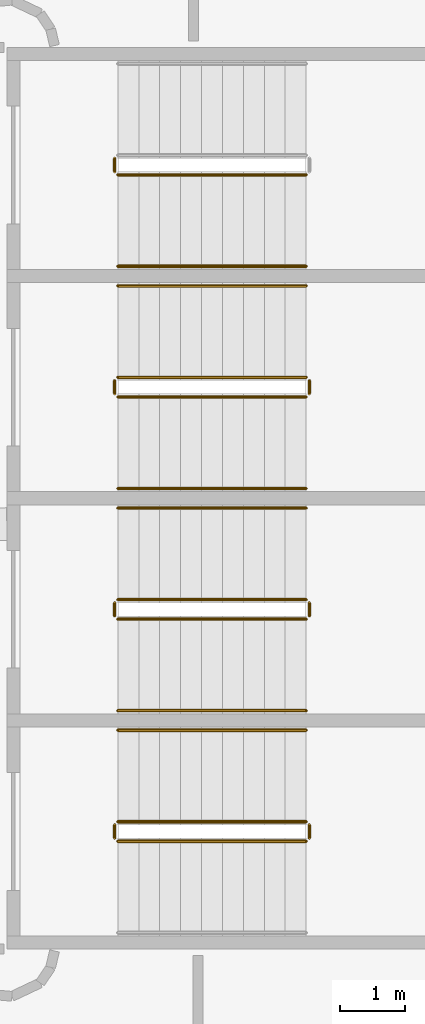
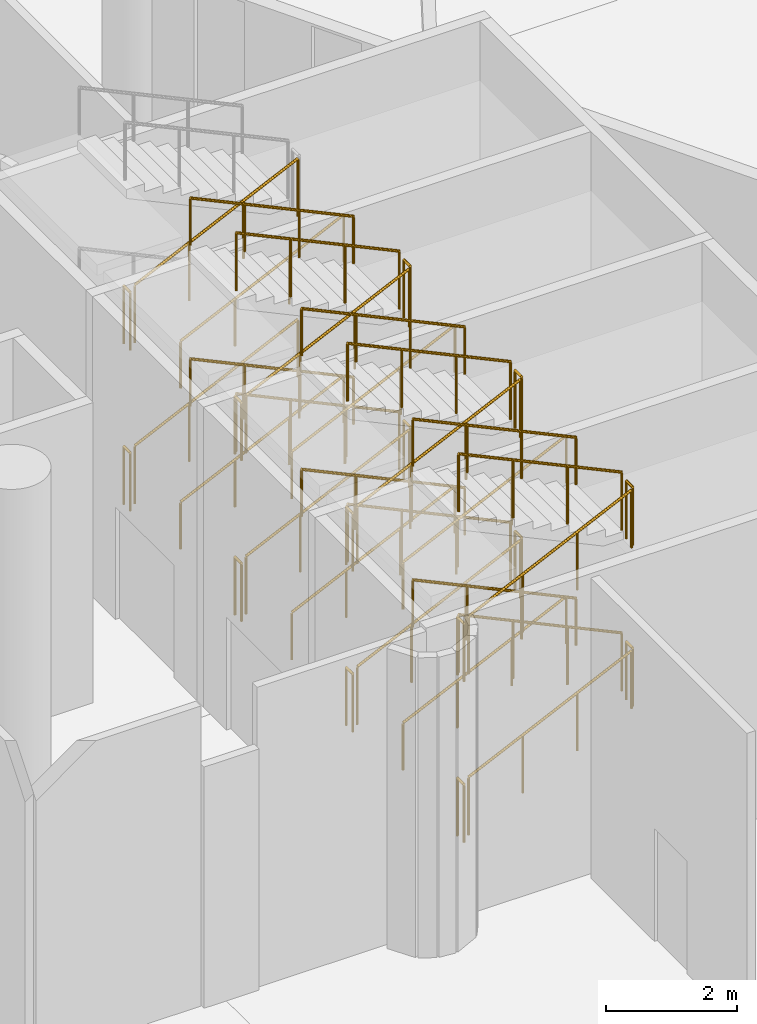
# One storey, part 162 of 173: 40 railings.
"""IFC4 building model written with IfcOpenShell, lengths in metres."""

from ifc_helpers import new_model, si_unit, direction, frame, origin, origin_2d, place, context, subcontext, project, spatial, circle, extrude, material, type_object, element, save


model = new_model("IFC4")

# Units and contexts
model_context = context("Model", 3, precision=1e-05, world=origin(), true_north=direction((0.0, 1.0)))
body_context = subcontext(model_context, "Body", "Model", "MODEL_VIEW")
ifc_project = project(units=[si_unit("LENGTHUNIT", "METRE"), si_unit("AREAUNIT", "SQUARE_METRE"), si_unit("VOLUMEUNIT", "CUBIC_METRE"), si_unit("PLANEANGLEUNIT", "RADIAN"), si_unit("MASSUNIT", "GRAM", prefix="KILO")], contexts=[model_context])

# Site, building, storey
site_placement = place(None, origin())
site = spatial("IfcSite", under=ifc_project, at=site_placement, CompositionType="ELEMENT")
building_placement = place(site_placement, origin())
building = spatial("IfcBuilding", under=site, at=building_placement, Name="Meseta Stadium", CompositionType="ELEMENT")
storey_placement = place(building_placement, frame((0.0, 0.0, 18.0)))
storey = spatial("IfcBuildingStorey", under=building, at=storey_placement, Name="L03", CompositionType="ELEMENT", Elevation=18.0)

# Railings
ifc_material_1 = material(Name="Steel S355", Category="steel")
railing_type_1 = type_object("IfcRailingType", Name="Stair guard 1100", PredefinedType="GUARDRAIL", material=ifc_material_1)
railing_1_placement = place(storey_placement, frame((90.300048828125, 13.5, 0.14990234375)))
element("IfcRailing", 1, at=railing_1_placement, inside=storey, type_object=railing_type_1, Name="ST13 L03 guard 1", PredefinedType="GUARDRAIL", context=body_context, shape_type="SweptSolid", body=[
    extrude(circle(Radius=0.02392578125, at=origin_2d()), frame((0.0, 0.0, 1.076171875), z_axis=(0.905440498372, 0.0, 0.424473207528), x_axis=(0.0, 1.0, 0.0)), (0.0, 0.0, 1.0), 3.1806640625),
    extrude(circle(Radius=0.02099609375, at=origin_2d()), origin(), (0.0, 0.0, 1.0), 1.052001953125),
    extrude(circle(Radius=0.02099609375, at=origin_2d()), frame((0.9599609375, 0.0, 0.449951171875)), (0.0, 0.0, 1.0), 1.052001953125),
    extrude(circle(Radius=0.02099609375, at=origin_2d()), frame((1.919921875, 0.0, 0.900146484375)), (0.0, 0.0, 1.0), 1.052001953125),
    extrude(circle(Radius=0.02099609375, at=origin_2d()), frame((2.8798828125, 0.0, 1.35009765625)), (0.0, 0.0, 1.0), 1.052001953125),
])
railing_2_placement = place(storey_placement, frame((93.22998046875, 13.550048828125, 1.5)))
element("IfcRailing", 2, at=railing_2_placement, inside=storey, type_object=railing_type_1, Name="ST13 L03 guard 2", PredefinedType="GUARDRAIL", context=body_context, shape_type="SweptSolid", body=[
    extrude(circle(Radius=0.02392578125, at=origin_2d()), frame((0.0, 0.0, 1.076171875), z_axis=(0.0, 1.0, 0.0), x_axis=(-1.0, 0.0, 0.0)), (0.0, 0.0, 1.0), 0.199951171875),
    extrude(circle(Radius=0.02099609375, at=origin_2d()), origin(), (0.0, 0.0, 1.0), 1.052001953125),
    extrude(circle(Radius=0.02099609375, at=origin_2d()), frame((0.0, 0.199951171875, 0.0)), (0.0, 0.0, 1.0), 1.052001953125),
])
railing_3_placement = place(storey_placement, frame((93.179931640625, 13.800048828125, 1.64990234375)))
element("IfcRailing", 3, at=railing_3_placement, inside=storey, type_object=railing_type_1, Name="ST13 L03 guard 3", PredefinedType="GUARDRAIL", context=body_context, shape_type="SweptSolid", body=[
    extrude(circle(Radius=0.02392578125, at=origin_2d()), frame((0.0, 0.0, 1.076171875), z_axis=(-0.905440498372, 0.0, 0.424473207528), x_axis=(0.0, -1.0, 0.0)), (0.0, 0.0, 1.0), 3.1806640625),
    extrude(circle(Radius=0.02099609375, at=origin_2d()), origin(), (0.0, 0.0, 1.0), 1.052001953125),
    extrude(circle(Radius=0.02099609375, at=origin_2d()), frame((-0.9599609375, 0.0, 0.449951171875)), (0.0, 0.0, 1.0), 1.052001953125),
    extrude(circle(Radius=0.02099609375, at=origin_2d()), frame((-1.919921875, 0.0, 0.900146484375)), (0.0, 0.0, 1.0), 1.052001953125),
    extrude(circle(Radius=0.02099609375, at=origin_2d()), frame((-2.8798828125, 0.0, 1.35009765625)), (0.0, 0.0, 1.0), 1.052001953125),
])
railing_4_placement = place(storey_placement, frame((90.25, 13.550048828125, 3.0)))
element("IfcRailing", 4, at=railing_4_placement, inside=storey, type_object=railing_type_1, Name="ST13 L03 guard 4", PredefinedType="GUARDRAIL", context=body_context, shape_type="SweptSolid", body=[
    extrude(circle(Radius=0.02392578125, at=origin_2d()), frame((0.0, 0.0, 1.076171875), z_axis=(0.0, 1.0, 0.0), x_axis=(-1.0, 0.0, 0.0)), (0.0, 0.0, 1.0), 0.199951171875),
    extrude(circle(Radius=0.02099609375, at=origin_2d()), origin(), (0.0, 0.0, 1.0), 1.052001953125),
    extrude(circle(Radius=0.02099609375, at=origin_2d()), frame((0.0, 0.199951171875, 0.0)), (0.0, 0.0, 1.0), 1.052001953125),
])
railing_5_placement = place(storey_placement, frame((90.300048828125, 13.5, 3.14990234375)))
element("IfcRailing", 5, at=railing_5_placement, inside=storey, type_object=railing_type_1, Name="ST13 L03 guard 5", PredefinedType="GUARDRAIL", context=body_context, shape_type="SweptSolid", body=[
    extrude(circle(Radius=0.02392578125, at=origin_2d()), frame((0.0, 0.0, 1.076171875), z_axis=(0.905440498372, 0.0, 0.424473207528), x_axis=(0.0, 1.0, 0.0)), (0.0, 0.0, 1.0), 3.1806640625),
    extrude(circle(Radius=0.02099609375, at=origin_2d()), origin(), (0.0, 0.0, 1.0), 1.052001953125),
    extrude(circle(Radius=0.02099609375, at=origin_2d()), frame((0.9599609375, 0.0, 0.449951171875)), (0.0, 0.0, 1.0), 1.052001953125),
    extrude(circle(Radius=0.02099609375, at=origin_2d()), frame((1.919921875, 0.0, 0.900146484375)), (0.0, 0.0, 1.0), 1.052001953125),
    extrude(circle(Radius=0.02099609375, at=origin_2d()), frame((2.8798828125, 0.0, 1.35009765625)), (0.0, 0.0, 1.0), 1.052001953125),
])
railing_6_placement = place(storey_placement, frame((93.22998046875, 13.550048828125, 4.5)))
element("IfcRailing", 6, at=railing_6_placement, inside=storey, type_object=railing_type_1, Name="ST13 L03 guard 6", PredefinedType="GUARDRAIL", context=body_context, shape_type="SweptSolid", body=[
    extrude(circle(Radius=0.02392578125, at=origin_2d()), frame((0.0, 0.0, 1.076171875), z_axis=(0.0, 1.0, 0.0), x_axis=(-1.0, 0.0, 0.0)), (0.0, 0.0, 1.0), 0.199951171875),
    extrude(circle(Radius=0.02099609375, at=origin_2d()), origin(), (0.0, 0.0, 1.0), 1.052001953125),
    extrude(circle(Radius=0.02099609375, at=origin_2d()), frame((0.0, 0.199951171875, 0.0)), (0.0, 0.0, 1.0), 1.052001953125),
])
railing_7_placement = place(storey_placement, frame((93.179931640625, 13.800048828125, 4.64990234375)))
element("IfcRailing", 7, at=railing_7_placement, inside=storey, type_object=railing_type_1, Name="ST13 L03 guard 7", PredefinedType="GUARDRAIL", context=body_context, shape_type="SweptSolid", body=[
    extrude(circle(Radius=0.02392578125, at=origin_2d()), frame((0.0, 0.0, 1.076171875), z_axis=(-0.905440498372, 0.0, 0.424473207528), x_axis=(0.0, -1.0, 0.0)), (0.0, 0.0, 1.0), 3.1806640625),
    extrude(circle(Radius=0.02099609375, at=origin_2d()), origin(), (0.0, 0.0, 1.0), 1.052001953125),
    extrude(circle(Radius=0.02099609375, at=origin_2d()), frame((-0.9599609375, 0.0, 0.449951171875)), (0.0, 0.0, 1.0), 1.052001953125),
    extrude(circle(Radius=0.02099609375, at=origin_2d()), frame((-1.919921875, 0.0, 0.900146484375)), (0.0, 0.0, 1.0), 1.052001953125),
    extrude(circle(Radius=0.02099609375, at=origin_2d()), frame((-2.8798828125, 0.0, 1.35009765625)), (0.0, 0.0, 1.0), 1.052001953125),
])
railing_8_placement = place(storey_placement, frame((90.25, 13.550048828125, 0.0)))
element("IfcRailing", 8, at=railing_8_placement, inside=storey, type_object=railing_type_1, Name="ST13 L03 guard 8", PredefinedType="GUARDRAIL", context=body_context, shape_type="SweptSolid", body=[
    extrude(circle(Radius=0.02392578125, at=origin_2d()), frame((0.0, 0.0, 1.076171875), z_axis=(0.0, 1.0, 0.0), x_axis=(-1.0, 0.0, 0.0)), (0.0, 0.0, 1.0), 0.199951171875),
    extrude(circle(Radius=0.02099609375, at=origin_2d()), origin(), (0.0, 0.0, 1.0), 1.052001953125),
    extrude(circle(Radius=0.02099609375, at=origin_2d()), frame((0.0, 0.199951171875, 0.0)), (0.0, 0.0, 1.0), 1.052001953125),
])
railing_9_placement = place(storey_placement, frame((90.300048828125, 16.89990234375, 0.14990234375)))
element("IfcRailing", 9, at=railing_9_placement, inside=storey, type_object=railing_type_1, Name="ST14 L03 guard 1", PredefinedType="GUARDRAIL", context=body_context, shape_type="SweptSolid", body=[
    extrude(circle(Radius=0.02392578125, at=origin_2d()), frame((0.0, 0.0, 1.076171875), z_axis=(0.905440498372, 0.0, 0.424473207528), x_axis=(0.0, 1.0, 0.0)), (0.0, 0.0, 1.0), 3.1806640625),
    extrude(circle(Radius=0.02099609375, at=origin_2d()), origin(), (0.0, 0.0, 1.0), 1.052001953125),
    extrude(circle(Radius=0.02099609375, at=origin_2d()), frame((0.9599609375, 0.0, 0.449951171875)), (0.0, 0.0, 1.0), 1.052001953125),
    extrude(circle(Radius=0.02099609375, at=origin_2d()), frame((1.919921875, 0.0, 0.900146484375)), (0.0, 0.0, 1.0), 1.052001953125),
    extrude(circle(Radius=0.02099609375, at=origin_2d()), frame((2.8798828125, 0.0, 1.35009765625)), (0.0, 0.0, 1.0), 1.052001953125),
])
railing_10_placement = place(storey_placement, frame((93.22998046875, 16.949951171875, 1.5)))
element("IfcRailing", 10, at=railing_10_placement, inside=storey, type_object=railing_type_1, Name="ST14 L03 guard 2", PredefinedType="GUARDRAIL", context=body_context, shape_type="SweptSolid", body=[
    extrude(circle(Radius=0.02392578125, at=origin_2d()), frame((0.0, 0.0, 1.076171875), z_axis=(0.0, 1.0, 0.0), x_axis=(-1.0, 0.0, 0.0)), (0.0, 0.0, 1.0), 0.199951171875),
    extrude(circle(Radius=0.02099609375, at=origin_2d()), origin(), (0.0, 0.0, 1.0), 1.052001953125),
    extrude(circle(Radius=0.02099609375, at=origin_2d()), frame((0.0, 0.199951171875, 0.0)), (0.0, 0.0, 1.0), 1.052001953125),
])
railing_11_placement = place(storey_placement, frame((93.179931640625, 17.199951171875, 1.64990234375)))
element("IfcRailing", 11, at=railing_11_placement, inside=storey, type_object=railing_type_1, Name="ST14 L03 guard 3", PredefinedType="GUARDRAIL", context=body_context, shape_type="SweptSolid", body=[
    extrude(circle(Radius=0.02392578125, at=origin_2d()), frame((0.0, 0.0, 1.076171875), z_axis=(-0.905440498372, 0.0, 0.424473207528), x_axis=(0.0, -1.0, 0.0)), (0.0, 0.0, 1.0), 3.1806640625),
    extrude(circle(Radius=0.02099609375, at=origin_2d()), origin(), (0.0, 0.0, 1.0), 1.052001953125),
    extrude(circle(Radius=0.02099609375, at=origin_2d()), frame((-0.9599609375, 0.0, 0.449951171875)), (0.0, 0.0, 1.0), 1.052001953125),
    extrude(circle(Radius=0.02099609375, at=origin_2d()), frame((-1.919921875, 0.0, 0.900146484375)), (0.0, 0.0, 1.0), 1.052001953125),
    extrude(circle(Radius=0.02099609375, at=origin_2d()), frame((-2.8798828125, 0.0, 1.35009765625)), (0.0, 0.0, 1.0), 1.052001953125),
])
railing_12_placement = place(storey_placement, frame((90.25, 16.949951171875, 3.0)))
element("IfcRailing", 12, at=railing_12_placement, inside=storey, type_object=railing_type_1, Name="ST14 L03 guard 4", PredefinedType="GUARDRAIL", context=body_context, shape_type="SweptSolid", body=[
    extrude(circle(Radius=0.02392578125, at=origin_2d()), frame((0.0, 0.0, 1.076171875), z_axis=(0.0, 1.0, 0.0), x_axis=(-1.0, 0.0, 0.0)), (0.0, 0.0, 1.0), 0.199951171875),
    extrude(circle(Radius=0.02099609375, at=origin_2d()), origin(), (0.0, 0.0, 1.0), 1.052001953125),
    extrude(circle(Radius=0.02099609375, at=origin_2d()), frame((0.0, 0.199951171875, 0.0)), (0.0, 0.0, 1.0), 1.052001953125),
])
railing_13_placement = place(storey_placement, frame((90.300048828125, 16.89990234375, 3.14990234375)))
element("IfcRailing", 13, at=railing_13_placement, inside=storey, type_object=railing_type_1, Name="ST14 L03 guard 5", PredefinedType="GUARDRAIL", context=body_context, shape_type="SweptSolid", body=[
    extrude(circle(Radius=0.02392578125, at=origin_2d()), frame((0.0, 0.0, 1.076171875), z_axis=(0.905440498372, 0.0, 0.424473207528), x_axis=(0.0, 1.0, 0.0)), (0.0, 0.0, 1.0), 3.1806640625),
    extrude(circle(Radius=0.02099609375, at=origin_2d()), origin(), (0.0, 0.0, 1.0), 1.052001953125),
    extrude(circle(Radius=0.02099609375, at=origin_2d()), frame((0.9599609375, 0.0, 0.449951171875)), (0.0, 0.0, 1.0), 1.052001953125),
    extrude(circle(Radius=0.02099609375, at=origin_2d()), frame((1.919921875, 0.0, 0.900146484375)), (0.0, 0.0, 1.0), 1.052001953125),
    extrude(circle(Radius=0.02099609375, at=origin_2d()), frame((2.8798828125, 0.0, 1.35009765625)), (0.0, 0.0, 1.0), 1.052001953125),
])
railing_14_placement = place(storey_placement, frame((93.22998046875, 16.949951171875, 4.5)))
element("IfcRailing", 14, at=railing_14_placement, inside=storey, type_object=railing_type_1, Name="ST14 L03 guard 6", PredefinedType="GUARDRAIL", context=body_context, shape_type="SweptSolid", body=[
    extrude(circle(Radius=0.02392578125, at=origin_2d()), frame((0.0, 0.0, 1.076171875), z_axis=(0.0, 1.0, 0.0), x_axis=(-1.0, 0.0, 0.0)), (0.0, 0.0, 1.0), 0.199951171875),
    extrude(circle(Radius=0.02099609375, at=origin_2d()), origin(), (0.0, 0.0, 1.0), 1.052001953125),
    extrude(circle(Radius=0.02099609375, at=origin_2d()), frame((0.0, 0.199951171875, 0.0)), (0.0, 0.0, 1.0), 1.052001953125),
])
railing_15_placement = place(storey_placement, frame((93.179931640625, 17.199951171875, 4.64990234375)))
element("IfcRailing", 15, at=railing_15_placement, inside=storey, type_object=railing_type_1, Name="ST14 L03 guard 7", PredefinedType="GUARDRAIL", context=body_context, shape_type="SweptSolid", body=[
    extrude(circle(Radius=0.02392578125, at=origin_2d()), frame((0.0, 0.0, 1.076171875), z_axis=(-0.905440498372, 0.0, 0.424473207528), x_axis=(0.0, -1.0, 0.0)), (0.0, 0.0, 1.0), 3.1806640625),
    extrude(circle(Radius=0.02099609375, at=origin_2d()), origin(), (0.0, 0.0, 1.0), 1.052001953125),
    extrude(circle(Radius=0.02099609375, at=origin_2d()), frame((-0.9599609375, 0.0, 0.449951171875)), (0.0, 0.0, 1.0), 1.052001953125),
    extrude(circle(Radius=0.02099609375, at=origin_2d()), frame((-1.919921875, 0.0, 0.900146484375)), (0.0, 0.0, 1.0), 1.052001953125),
    extrude(circle(Radius=0.02099609375, at=origin_2d()), frame((-2.8798828125, 0.0, 1.35009765625)), (0.0, 0.0, 1.0), 1.052001953125),
])
railing_16_placement = place(storey_placement, frame((90.25, 16.949951171875, 0.0)))
element("IfcRailing", 16, at=railing_16_placement, inside=storey, type_object=railing_type_1, Name="ST14 L03 guard 8", PredefinedType="GUARDRAIL", context=body_context, shape_type="SweptSolid", body=[
    extrude(circle(Radius=0.02392578125, at=origin_2d()), frame((0.0, 0.0, 1.076171875), z_axis=(0.0, 1.0, 0.0), x_axis=(-1.0, 0.0, 0.0)), (0.0, 0.0, 1.0), 0.199951171875),
    extrude(circle(Radius=0.02099609375, at=origin_2d()), origin(), (0.0, 0.0, 1.0), 1.052001953125),
    extrude(circle(Radius=0.02099609375, at=origin_2d()), frame((0.0, 0.199951171875, 0.0)), (0.0, 0.0, 1.0), 1.052001953125),
])
railing_17_placement = place(storey_placement, frame((90.300048828125, 20.300048828125, 0.14990234375)))
element("IfcRailing", 17, at=railing_17_placement, inside=storey, type_object=railing_type_1, Name="ST15 L03 guard 1", PredefinedType="GUARDRAIL", context=body_context, shape_type="SweptSolid", body=[
    extrude(circle(Radius=0.02392578125, at=origin_2d()), frame((0.0, 0.0, 1.076171875), z_axis=(0.905440498372, 0.0, 0.424473207528), x_axis=(0.0, 1.0, 0.0)), (0.0, 0.0, 1.0), 3.1806640625),
    extrude(circle(Radius=0.02099609375, at=origin_2d()), origin(), (0.0, 0.0, 1.0), 1.052001953125),
    extrude(circle(Radius=0.02099609375, at=origin_2d()), frame((0.9599609375, 0.0, 0.449951171875)), (0.0, 0.0, 1.0), 1.052001953125),
    extrude(circle(Radius=0.02099609375, at=origin_2d()), frame((1.919921875, 0.0, 0.900146484375)), (0.0, 0.0, 1.0), 1.052001953125),
    extrude(circle(Radius=0.02099609375, at=origin_2d()), frame((2.8798828125, 0.0, 1.35009765625)), (0.0, 0.0, 1.0), 1.052001953125),
])
railing_18_placement = place(storey_placement, frame((93.22998046875, 20.35009765625, 1.5)))
element("IfcRailing", 18, at=railing_18_placement, inside=storey, type_object=railing_type_1, Name="ST15 L03 guard 2", PredefinedType="GUARDRAIL", context=body_context, shape_type="SweptSolid", body=[
    extrude(circle(Radius=0.02392578125, at=origin_2d()), frame((0.0, 0.0, 1.076171875), z_axis=(0.0, 1.0, 0.0), x_axis=(-1.0, 0.0, 0.0)), (0.0, 0.0, 1.0), 0.199951171875),
    extrude(circle(Radius=0.02099609375, at=origin_2d()), origin(), (0.0, 0.0, 1.0), 1.052001953125),
    extrude(circle(Radius=0.02099609375, at=origin_2d()), frame((0.0, 0.199951171875, 0.0)), (0.0, 0.0, 1.0), 1.052001953125),
])
railing_19_placement = place(storey_placement, frame((93.179931640625, 20.60009765625, 1.64990234375)))
element("IfcRailing", 19, at=railing_19_placement, inside=storey, type_object=railing_type_1, Name="ST15 L03 guard 3", PredefinedType="GUARDRAIL", context=body_context, shape_type="SweptSolid", body=[
    extrude(circle(Radius=0.02392578125, at=origin_2d()), frame((0.0, 0.0, 1.076171875), z_axis=(-0.905440498372, 0.0, 0.424473207528), x_axis=(0.0, -1.0, 0.0)), (0.0, 0.0, 1.0), 3.1806640625),
    extrude(circle(Radius=0.02099609375, at=origin_2d()), origin(), (0.0, 0.0, 1.0), 1.052001953125),
    extrude(circle(Radius=0.02099609375, at=origin_2d()), frame((-0.9599609375, 0.0, 0.449951171875)), (0.0, 0.0, 1.0), 1.052001953125),
    extrude(circle(Radius=0.02099609375, at=origin_2d()), frame((-1.919921875, 0.0, 0.900146484375)), (0.0, 0.0, 1.0), 1.052001953125),
    extrude(circle(Radius=0.02099609375, at=origin_2d()), frame((-2.8798828125, 0.0, 1.35009765625)), (0.0, 0.0, 1.0), 1.052001953125),
])
railing_20_placement = place(storey_placement, frame((90.25, 20.35009765625, 3.0)))
element("IfcRailing", 20, at=railing_20_placement, inside=storey, type_object=railing_type_1, Name="ST15 L03 guard 4", PredefinedType="GUARDRAIL", context=body_context, shape_type="SweptSolid", body=[
    extrude(circle(Radius=0.02392578125, at=origin_2d()), frame((0.0, 0.0, 1.076171875), z_axis=(0.0, 1.0, 0.0), x_axis=(-1.0, 0.0, 0.0)), (0.0, 0.0, 1.0), 0.199951171875),
    extrude(circle(Radius=0.02099609375, at=origin_2d()), origin(), (0.0, 0.0, 1.0), 1.052001953125),
    extrude(circle(Radius=0.02099609375, at=origin_2d()), frame((0.0, 0.199951171875, 0.0)), (0.0, 0.0, 1.0), 1.052001953125),
])
railing_21_placement = place(storey_placement, frame((90.300048828125, 20.300048828125, 3.14990234375)))
element("IfcRailing", 21, at=railing_21_placement, inside=storey, type_object=railing_type_1, Name="ST15 L03 guard 5", PredefinedType="GUARDRAIL", context=body_context, shape_type="SweptSolid", body=[
    extrude(circle(Radius=0.02392578125, at=origin_2d()), frame((0.0, 0.0, 1.076171875), z_axis=(0.905440498372, 0.0, 0.424473207528), x_axis=(0.0, 1.0, 0.0)), (0.0, 0.0, 1.0), 3.1806640625),
    extrude(circle(Radius=0.02099609375, at=origin_2d()), origin(), (0.0, 0.0, 1.0), 1.052001953125),
    extrude(circle(Radius=0.02099609375, at=origin_2d()), frame((0.9599609375, 0.0, 0.449951171875)), (0.0, 0.0, 1.0), 1.052001953125),
    extrude(circle(Radius=0.02099609375, at=origin_2d()), frame((1.919921875, 0.0, 0.900146484375)), (0.0, 0.0, 1.0), 1.052001953125),
    extrude(circle(Radius=0.02099609375, at=origin_2d()), frame((2.8798828125, 0.0, 1.35009765625)), (0.0, 0.0, 1.0), 1.052001953125),
])
railing_22_placement = place(storey_placement, frame((93.22998046875, 20.35009765625, 4.5)))
element("IfcRailing", 22, at=railing_22_placement, inside=storey, type_object=railing_type_1, Name="ST15 L03 guard 6", PredefinedType="GUARDRAIL", context=body_context, shape_type="SweptSolid", body=[
    extrude(circle(Radius=0.02392578125, at=origin_2d()), frame((0.0, 0.0, 1.076171875), z_axis=(0.0, 1.0, 0.0), x_axis=(-1.0, 0.0, 0.0)), (0.0, 0.0, 1.0), 0.199951171875),
    extrude(circle(Radius=0.02099609375, at=origin_2d()), origin(), (0.0, 0.0, 1.0), 1.052001953125),
    extrude(circle(Radius=0.02099609375, at=origin_2d()), frame((0.0, 0.199951171875, 0.0)), (0.0, 0.0, 1.0), 1.052001953125),
])
railing_23_placement = place(storey_placement, frame((93.179931640625, 20.60009765625, 4.64990234375)))
element("IfcRailing", 23, at=railing_23_placement, inside=storey, type_object=railing_type_1, Name="ST15 L03 guard 7", PredefinedType="GUARDRAIL", context=body_context, shape_type="SweptSolid", body=[
    extrude(circle(Radius=0.02392578125, at=origin_2d()), frame((0.0, 0.0, 1.076171875), z_axis=(-0.905440498372, 0.0, 0.424473207528), x_axis=(0.0, -1.0, 0.0)), (0.0, 0.0, 1.0), 3.1806640625),
    extrude(circle(Radius=0.02099609375, at=origin_2d()), origin(), (0.0, 0.0, 1.0), 1.052001953125),
    extrude(circle(Radius=0.02099609375, at=origin_2d()), frame((-0.9599609375, 0.0, 0.449951171875)), (0.0, 0.0, 1.0), 1.052001953125),
    extrude(circle(Radius=0.02099609375, at=origin_2d()), frame((-1.919921875, 0.0, 0.900146484375)), (0.0, 0.0, 1.0), 1.052001953125),
    extrude(circle(Radius=0.02099609375, at=origin_2d()), frame((-2.8798828125, 0.0, 1.35009765625)), (0.0, 0.0, 1.0), 1.052001953125),
])
railing_24_placement = place(storey_placement, frame((90.25, 20.35009765625, 0.0)))
element("IfcRailing", 24, at=railing_24_placement, inside=storey, type_object=railing_type_1, Name="ST15 L03 guard 8", PredefinedType="GUARDRAIL", context=body_context, shape_type="SweptSolid", body=[
    extrude(circle(Radius=0.02392578125, at=origin_2d()), frame((0.0, 0.0, 1.076171875), z_axis=(0.0, 1.0, 0.0), x_axis=(-1.0, 0.0, 0.0)), (0.0, 0.0, 1.0), 0.199951171875),
    extrude(circle(Radius=0.02099609375, at=origin_2d()), origin(), (0.0, 0.0, 1.0), 1.052001953125),
    extrude(circle(Radius=0.02099609375, at=origin_2d()), frame((0.0, 0.199951171875, 0.0)), (0.0, 0.0, 1.0), 1.052001953125),
])
railing_25_placement = place(storey_placement, frame((90.300048828125, 23.699951171875, 0.14990234375)))
element("IfcRailing", 25, at=railing_25_placement, inside=storey, type_object=railing_type_1, Name="ST16 L03 guard 1", PredefinedType="GUARDRAIL", context=body_context, shape_type="SweptSolid", body=[
    extrude(circle(Radius=0.02392578125, at=origin_2d()), frame((0.0, 0.0, 1.076171875), z_axis=(0.905440498372, 0.0, 0.424473207528), x_axis=(0.0, 1.0, 0.0)), (0.0, 0.0, 1.0), 3.1806640625),
    extrude(circle(Radius=0.02099609375, at=origin_2d()), origin(), (0.0, 0.0, 1.0), 1.052001953125),
    extrude(circle(Radius=0.02099609375, at=origin_2d()), frame((0.9599609375, 0.0, 0.449951171875)), (0.0, 0.0, 1.0), 1.052001953125),
    extrude(circle(Radius=0.02099609375, at=origin_2d()), frame((1.919921875, 0.0, 0.900146484375)), (0.0, 0.0, 1.0), 1.052001953125),
    extrude(circle(Radius=0.02099609375, at=origin_2d()), frame((2.8798828125, 0.0, 1.35009765625)), (0.0, 0.0, 1.0), 1.052001953125),
])
railing_26_placement = place(storey_placement, frame((90.25, 23.75, 3.0)))
element("IfcRailing", 26, at=railing_26_placement, inside=storey, type_object=railing_type_1, Name="ST16 L03 guard 4", PredefinedType="GUARDRAIL", context=body_context, shape_type="SweptSolid", body=[
    extrude(circle(Radius=0.02392578125, at=origin_2d()), frame((0.0, 0.0, 1.076171875), z_axis=(0.0, 1.0, 0.0), x_axis=(-1.0, 0.0, 0.0)), (0.0, 0.0, 1.0), 0.199951171875),
    extrude(circle(Radius=0.02099609375, at=origin_2d()), origin(), (0.0, 0.0, 1.0), 1.052001953125),
    extrude(circle(Radius=0.02099609375, at=origin_2d()), frame((0.0, 0.199951171875, 0.0)), (0.0, 0.0, 1.0), 1.052001953125),
])
railing_27_placement = place(storey_placement, frame((90.300048828125, 23.699951171875, 3.14990234375)))
element("IfcRailing", 27, at=railing_27_placement, inside=storey, type_object=railing_type_1, Name="ST16 L03 guard 5", PredefinedType="GUARDRAIL", context=body_context, shape_type="SweptSolid", body=[
    extrude(circle(Radius=0.02392578125, at=origin_2d()), frame((0.0, 0.0, 1.076171875), z_axis=(0.905440498372, 0.0, 0.424473207528), x_axis=(0.0, 1.0, 0.0)), (0.0, 0.0, 1.0), 3.1806640625),
    extrude(circle(Radius=0.02099609375, at=origin_2d()), origin(), (0.0, 0.0, 1.0), 1.052001953125),
    extrude(circle(Radius=0.02099609375, at=origin_2d()), frame((0.9599609375, 0.0, 0.449951171875)), (0.0, 0.0, 1.0), 1.052001953125),
    extrude(circle(Radius=0.02099609375, at=origin_2d()), frame((1.919921875, 0.0, 0.900146484375)), (0.0, 0.0, 1.0), 1.052001953125),
    extrude(circle(Radius=0.02099609375, at=origin_2d()), frame((2.8798828125, 0.0, 1.35009765625)), (0.0, 0.0, 1.0), 1.052001953125),
])
railing_28_placement = place(storey_placement, frame((90.25, 23.75, 0.0)))
element("IfcRailing", 28, at=railing_28_placement, inside=storey, type_object=railing_type_1, Name="ST16 L03 guard 8", PredefinedType="GUARDRAIL", context=body_context, shape_type="SweptSolid", body=[
    extrude(circle(Radius=0.02392578125, at=origin_2d()), frame((0.0, 0.0, 1.076171875), z_axis=(0.0, 1.0, 0.0), x_axis=(-1.0, 0.0, 0.0)), (0.0, 0.0, 1.0), 0.199951171875),
    extrude(circle(Radius=0.02099609375, at=origin_2d()), origin(), (0.0, 0.0, 1.0), 1.052001953125),
    extrude(circle(Radius=0.02099609375, at=origin_2d()), frame((0.0, 0.199951171875, 0.0)), (0.0, 0.0, 1.0), 1.052001953125),
])
ifc_material_2 = material(Name="Steel S355", Category="steel")
railing_type_2 = type_object("IfcRailingType", Name="Stair handrail 900", PredefinedType="HANDRAIL", material=ifc_material_2)
for number, where, name in (
    (29, (93.179931640625, 15.199951171875, 1.64990234375), "ST13 L03 handrail 2"),
    (30, (93.179931640625, 15.199951171875, 4.64990234375), "ST13 L03 handrail 4"),
):
    element("IfcRailing", number, at=place(storey_placement, frame(where)), inside=storey, type_object=railing_type_2, Name=name, PredefinedType="HANDRAIL", context=body_context, shape_type="SweptSolid", body=[
        extrude(circle(Radius=0.02392578125, at=origin_2d()), frame((0.0, 0.0, 0.8759765625), z_axis=(-0.905440498372, 0.0, 0.424473207528), x_axis=(0.0, -1.0, 0.0)), (0.0, 0.0, 1.0), 3.1806640625),
        extrude(circle(Radius=0.02099609375, at=origin_2d()), origin(), (0.0, 0.0, 1.0), 0.851806640625),
        extrude(circle(Radius=0.02099609375, at=origin_2d()), frame((-0.9599609375, 0.0, 0.449951171875)), (0.0, 0.0, 1.0), 0.851806640625),
        extrude(circle(Radius=0.02099609375, at=origin_2d()), frame((-1.919921875, 0.0, 0.900146484375)), (0.0, 0.0, 1.0), 0.851806640625),
        extrude(circle(Radius=0.02099609375, at=origin_2d()), frame((-2.8798828125, 0.0, 1.35009765625)), (0.0, 0.0, 1.0), 0.851806640625),
    ])
railing_29_placement = place(storey_placement, frame((90.300048828125, 15.5, 0.14990234375)))
element("IfcRailing", 31, at=railing_29_placement, inside=storey, type_object=railing_type_2, Name="ST14 L03 handrail 1", PredefinedType="HANDRAIL", context=body_context, shape_type="SweptSolid", body=[
    extrude(circle(Radius=0.02392578125, at=origin_2d()), frame((0.0, 0.0, 0.8759765625), z_axis=(0.905440498372, 0.0, 0.424473207528), x_axis=(0.0, 1.0, 0.0)), (0.0, 0.0, 1.0), 3.1806640625),
    extrude(circle(Radius=0.02099609375, at=origin_2d()), origin(), (0.0, 0.0, 1.0), 0.851806640625),
    extrude(circle(Radius=0.02099609375, at=origin_2d()), frame((0.9599609375, 0.0, 0.449951171875)), (0.0, 0.0, 1.0), 0.851806640625),
    extrude(circle(Radius=0.02099609375, at=origin_2d()), frame((1.919921875, 0.0, 0.900146484375)), (0.0, 0.0, 1.0), 0.851806640625),
    extrude(circle(Radius=0.02099609375, at=origin_2d()), frame((2.8798828125, 0.0, 1.35009765625)), (0.0, 0.0, 1.0), 0.851806640625),
])
railing_30_placement = place(storey_placement, frame((93.179931640625, 18.60009765625, 1.64990234375)))
element("IfcRailing", 32, at=railing_30_placement, inside=storey, type_object=railing_type_2, Name="ST14 L03 handrail 2", PredefinedType="HANDRAIL", context=body_context, shape_type="SweptSolid", body=[
    extrude(circle(Radius=0.02392578125, at=origin_2d()), frame((0.0, 0.0, 0.8759765625), z_axis=(-0.905440498372, 0.0, 0.424473207528), x_axis=(0.0, -1.0, 0.0)), (0.0, 0.0, 1.0), 3.1806640625),
    extrude(circle(Radius=0.02099609375, at=origin_2d()), origin(), (0.0, 0.0, 1.0), 0.851806640625),
    extrude(circle(Radius=0.02099609375, at=origin_2d()), frame((-0.9599609375, 0.0, 0.449951171875)), (0.0, 0.0, 1.0), 0.851806640625),
    extrude(circle(Radius=0.02099609375, at=origin_2d()), frame((-1.919921875, 0.0, 0.900146484375)), (0.0, 0.0, 1.0), 0.851806640625),
    extrude(circle(Radius=0.02099609375, at=origin_2d()), frame((-2.8798828125, 0.0, 1.35009765625)), (0.0, 0.0, 1.0), 0.851806640625),
])
railing_31_placement = place(storey_placement, frame((90.300048828125, 15.5, 3.14990234375)))
element("IfcRailing", 33, at=railing_31_placement, inside=storey, type_object=railing_type_2, Name="ST14 L03 handrail 3", PredefinedType="HANDRAIL", context=body_context, shape_type="SweptSolid", body=[
    extrude(circle(Radius=0.02392578125, at=origin_2d()), frame((0.0, 0.0, 0.8759765625), z_axis=(0.905440498372, 0.0, 0.424473207528), x_axis=(0.0, 1.0, 0.0)), (0.0, 0.0, 1.0), 3.1806640625),
    extrude(circle(Radius=0.02099609375, at=origin_2d()), origin(), (0.0, 0.0, 1.0), 0.851806640625),
    extrude(circle(Radius=0.02099609375, at=origin_2d()), frame((0.9599609375, 0.0, 0.449951171875)), (0.0, 0.0, 1.0), 0.851806640625),
    extrude(circle(Radius=0.02099609375, at=origin_2d()), frame((1.919921875, 0.0, 0.900146484375)), (0.0, 0.0, 1.0), 0.851806640625),
    extrude(circle(Radius=0.02099609375, at=origin_2d()), frame((2.8798828125, 0.0, 1.35009765625)), (0.0, 0.0, 1.0), 0.851806640625),
])
railing_32_placement = place(storey_placement, frame((93.179931640625, 18.60009765625, 4.64990234375)))
element("IfcRailing", 34, at=railing_32_placement, inside=storey, type_object=railing_type_2, Name="ST14 L03 handrail 4", PredefinedType="HANDRAIL", context=body_context, shape_type="SweptSolid", body=[
    extrude(circle(Radius=0.02392578125, at=origin_2d()), frame((0.0, 0.0, 0.8759765625), z_axis=(-0.905440498372, 0.0, 0.424473207528), x_axis=(0.0, -1.0, 0.0)), (0.0, 0.0, 1.0), 3.1806640625),
    extrude(circle(Radius=0.02099609375, at=origin_2d()), origin(), (0.0, 0.0, 1.0), 0.851806640625),
    extrude(circle(Radius=0.02099609375, at=origin_2d()), frame((-0.9599609375, 0.0, 0.449951171875)), (0.0, 0.0, 1.0), 0.851806640625),
    extrude(circle(Radius=0.02099609375, at=origin_2d()), frame((-1.919921875, 0.0, 0.900146484375)), (0.0, 0.0, 1.0), 0.851806640625),
    extrude(circle(Radius=0.02099609375, at=origin_2d()), frame((-2.8798828125, 0.0, 1.35009765625)), (0.0, 0.0, 1.0), 0.851806640625),
])
railing_33_placement = place(storey_placement, frame((90.300048828125, 18.89990234375, 0.14990234375)))
element("IfcRailing", 35, at=railing_33_placement, inside=storey, type_object=railing_type_2, Name="ST15 L03 handrail 1", PredefinedType="HANDRAIL", context=body_context, shape_type="SweptSolid", body=[
    extrude(circle(Radius=0.02392578125, at=origin_2d()), frame((0.0, 0.0, 0.8759765625), z_axis=(0.905440498372, 0.0, 0.424473207528), x_axis=(0.0, 1.0, 0.0)), (0.0, 0.0, 1.0), 3.1806640625),
    extrude(circle(Radius=0.02099609375, at=origin_2d()), origin(), (0.0, 0.0, 1.0), 0.851806640625),
    extrude(circle(Radius=0.02099609375, at=origin_2d()), frame((0.9599609375, 0.0, 0.449951171875)), (0.0, 0.0, 1.0), 0.851806640625),
    extrude(circle(Radius=0.02099609375, at=origin_2d()), frame((1.919921875, 0.0, 0.900146484375)), (0.0, 0.0, 1.0), 0.851806640625),
    extrude(circle(Radius=0.02099609375, at=origin_2d()), frame((2.8798828125, 0.0, 1.35009765625)), (0.0, 0.0, 1.0), 0.851806640625),
])
railing_34_placement = place(storey_placement, frame((93.179931640625, 22.0, 1.64990234375)))
element("IfcRailing", 36, at=railing_34_placement, inside=storey, type_object=railing_type_2, Name="ST15 L03 handrail 2", PredefinedType="HANDRAIL", context=body_context, shape_type="SweptSolid", body=[
    extrude(circle(Radius=0.02392578125, at=origin_2d()), frame((0.0, 0.0, 0.8759765625), z_axis=(-0.905440498372, 0.0, 0.424473207528), x_axis=(0.0, -1.0, 0.0)), (0.0, 0.0, 1.0), 3.1806640625),
    extrude(circle(Radius=0.02099609375, at=origin_2d()), origin(), (0.0, 0.0, 1.0), 0.851806640625),
    extrude(circle(Radius=0.02099609375, at=origin_2d()), frame((-0.9599609375, 0.0, 0.449951171875)), (0.0, 0.0, 1.0), 0.851806640625),
    extrude(circle(Radius=0.02099609375, at=origin_2d()), frame((-1.919921875, 0.0, 0.900146484375)), (0.0, 0.0, 1.0), 0.851806640625),
    extrude(circle(Radius=0.02099609375, at=origin_2d()), frame((-2.8798828125, 0.0, 1.35009765625)), (0.0, 0.0, 1.0), 0.851806640625),
])
railing_35_placement = place(storey_placement, frame((90.300048828125, 18.89990234375, 3.14990234375)))
element("IfcRailing", 37, at=railing_35_placement, inside=storey, type_object=railing_type_2, Name="ST15 L03 handrail 3", PredefinedType="HANDRAIL", context=body_context, shape_type="SweptSolid", body=[
    extrude(circle(Radius=0.02392578125, at=origin_2d()), frame((0.0, 0.0, 0.8759765625), z_axis=(0.905440498372, 0.0, 0.424473207528), x_axis=(0.0, 1.0, 0.0)), (0.0, 0.0, 1.0), 3.1806640625),
    extrude(circle(Radius=0.02099609375, at=origin_2d()), origin(), (0.0, 0.0, 1.0), 0.851806640625),
    extrude(circle(Radius=0.02099609375, at=origin_2d()), frame((0.9599609375, 0.0, 0.449951171875)), (0.0, 0.0, 1.0), 0.851806640625),
    extrude(circle(Radius=0.02099609375, at=origin_2d()), frame((1.919921875, 0.0, 0.900146484375)), (0.0, 0.0, 1.0), 0.851806640625),
    extrude(circle(Radius=0.02099609375, at=origin_2d()), frame((2.8798828125, 0.0, 1.35009765625)), (0.0, 0.0, 1.0), 0.851806640625),
])
railing_36_placement = place(storey_placement, frame((93.179931640625, 22.0, 4.64990234375)))
element("IfcRailing", 38, at=railing_36_placement, inside=storey, type_object=railing_type_2, Name="ST15 L03 handrail 4", PredefinedType="HANDRAIL", context=body_context, shape_type="SweptSolid", body=[
    extrude(circle(Radius=0.02392578125, at=origin_2d()), frame((0.0, 0.0, 0.8759765625), z_axis=(-0.905440498372, 0.0, 0.424473207528), x_axis=(0.0, -1.0, 0.0)), (0.0, 0.0, 1.0), 3.1806640625),
    extrude(circle(Radius=0.02099609375, at=origin_2d()), origin(), (0.0, 0.0, 1.0), 0.851806640625),
    extrude(circle(Radius=0.02099609375, at=origin_2d()), frame((-0.9599609375, 0.0, 0.449951171875)), (0.0, 0.0, 1.0), 0.851806640625),
    extrude(circle(Radius=0.02099609375, at=origin_2d()), frame((-1.919921875, 0.0, 0.900146484375)), (0.0, 0.0, 1.0), 0.851806640625),
    extrude(circle(Radius=0.02099609375, at=origin_2d()), frame((-2.8798828125, 0.0, 1.35009765625)), (0.0, 0.0, 1.0), 0.851806640625),
])
for number, where, name in (
    (39, (90.300048828125, 22.300048828125, 0.14990234375), "ST16 L03 handrail 1"),
    (40, (90.300048828125, 22.300048828125, 3.14990234375), "ST16 L03 handrail 3"),
):
    element("IfcRailing", number, at=place(storey_placement, frame(where)), inside=storey, type_object=railing_type_2, Name=name, PredefinedType="HANDRAIL", context=body_context, shape_type="SweptSolid", body=[
        extrude(circle(Radius=0.02392578125, at=origin_2d()), frame((0.0, 0.0, 0.8759765625), z_axis=(0.905440498372, 0.0, 0.424473207528), x_axis=(0.0, 1.0, 0.0)), (0.0, 0.0, 1.0), 3.1806640625),
        extrude(circle(Radius=0.02099609375, at=origin_2d()), origin(), (0.0, 0.0, 1.0), 0.851806640625),
        extrude(circle(Radius=0.02099609375, at=origin_2d()), frame((0.9599609375, 0.0, 0.449951171875)), (0.0, 0.0, 1.0), 0.851806640625),
        extrude(circle(Radius=0.02099609375, at=origin_2d()), frame((1.919921875, 0.0, 0.900146484375)), (0.0, 0.0, 1.0), 0.851806640625),
        extrude(circle(Radius=0.02099609375, at=origin_2d()), frame((2.8798828125, 0.0, 1.35009765625)), (0.0, 0.0, 1.0), 0.851806640625),
    ])

save(model, "model.ifc")
